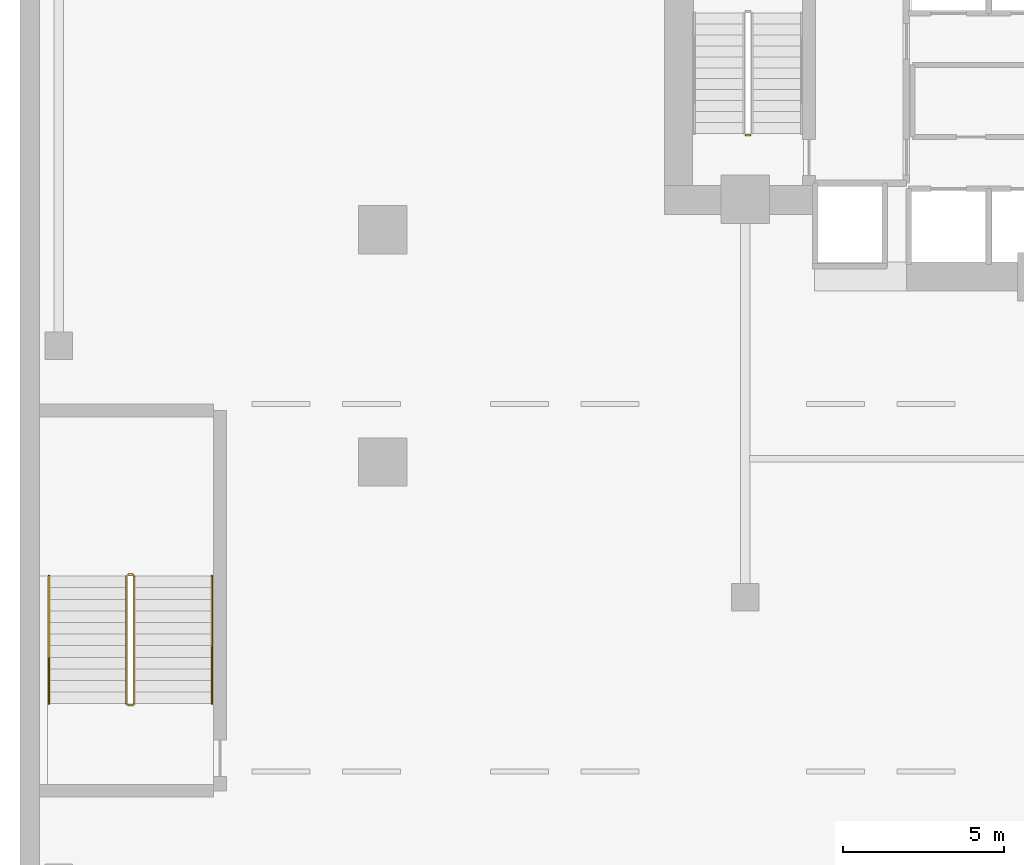
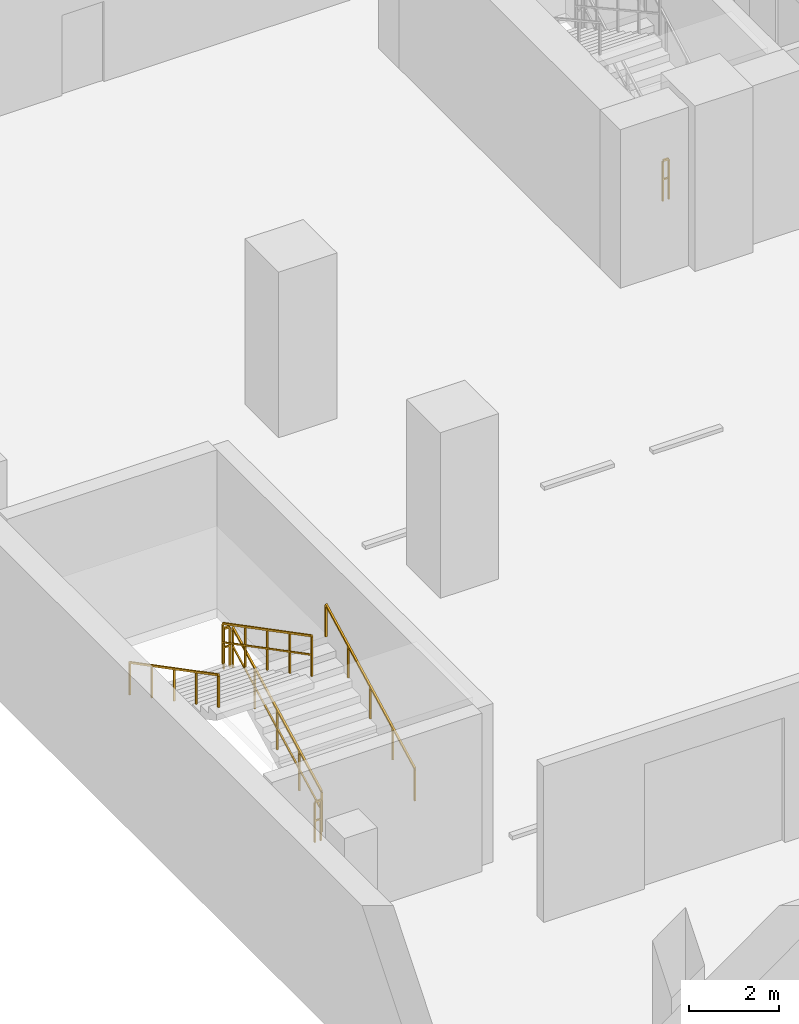
# One storey, part 9 of 13: 7 railings.
"""IFC4 building model written with IfcOpenShell, lengths in metres."""

from ifc_helpers import new_model, si_unit, direction, frame, origin, origin_2d, place, context, subcontext, project, spatial, rectangle, extrude, material, type_object, element, save


model = new_model("IFC4")

# Units and contexts
model_context = context("Model", 3, precision=1e-05, world=origin(), true_north=direction((0.0, 1.0)))
body_context = subcontext(model_context, "Body", "Model", "MODEL_VIEW")
ifc_project = project(units=[si_unit("LENGTHUNIT", "METRE"), si_unit("AREAUNIT", "SQUARE_METRE"), si_unit("VOLUMEUNIT", "CUBIC_METRE"), si_unit("PLANEANGLEUNIT", "RADIAN"), si_unit("MASSUNIT", "GRAM", prefix="KILO")], contexts=[model_context])

# Site, building, storey
site_placement = place(None, origin())
site = spatial("IfcSite", under=ifc_project, at=site_placement, CompositionType="ELEMENT")
building_placement = place(site_placement, origin())
building = spatial("IfcBuilding", under=site, at=building_placement, Name="Zuhayl Quay Hotel", CompositionType="ELEMENT")
storey_placement = place(building_placement, frame((0.0, 0.0, -4.5)))
storey = spatial("IfcBuildingStorey", under=building, at=storey_placement, Name="B1", CompositionType="ELEMENT", Elevation=-4.5)

# Railings
ifc_material = material(Name="Steel ASTM A992 Grade 50", Category="steel")
railing_type_1 = type_object("IfcRailingType", Name="RL_GUARD_1100", PredefinedType="GUARDRAIL", material=ifc_material)
railing_1_placement = place(storey_placement, frame((-13.639892578125, 6.5400390625, 0.0)))
element("IfcRailing", 1, at=railing_1_placement, inside=storey, type_object=railing_type_1, Name="B1 ST1 stair guard 4", PredefinedType="GUARDRAIL", context=body_context, shape_type="SweptSolid", body=[
    extrude(rectangle(XDim=0.048095703125, YDim=0.048095703125, at=origin_2d()), frame((0.0, 0.0, 1.09619140625), z_axis=(-1.0, 0.0, 0.0), x_axis=(0.0, -1.0, 0.0)), (0.0, 0.0, 1.0), 0.150146484375),
    extrude(rectangle(XDim=0.0361328125, YDim=0.0361328125, at=origin_2d()), frame((0.0, 0.0, 0.58251953125), z_axis=(-1.0, 0.0, 0.0), x_axis=(0.0, -1.0, 0.0)), (0.0, 0.0, 1.0), 0.150146484375),
    extrude(rectangle(XDim=0.0419921875, YDim=0.0419921875, at=origin_2d()), origin(), (0.0, 0.0, 1.0), 1.072021484375),
    extrude(rectangle(XDim=0.0419921875, YDim=0.0419921875, at=origin_2d()), frame((-0.150146484375, 0.0, 0.0)), (0.0, 0.0, 1.0), 1.072021484375),
])
railing_2_placement = place(storey_placement, frame((-32.75, -11.10009765625, 0.1875)))
element("IfcRailing", 2, at=railing_2_placement, inside=storey, type_object=railing_type_1, Name="B1 ST3 stair guard 1", PredefinedType="GUARDRAIL", context=body_context, shape_type="SweptSolid", body=[
    extrude(rectangle(XDim=0.048095703125, YDim=0.048095703125, at=origin_2d()), frame((0.0, 0.0, 1.09619140625), z_axis=(0.0, 0.886923884477, 0.461915601755), x_axis=(-1.0, 0.0, 0.0)), (0.0, 0.0, 1.0), 4.465087890625),
    extrude(rectangle(XDim=0.0361328125, YDim=0.0361328125, at=origin_2d()), frame((0.0, 0.0, 0.58251953125), z_axis=(0.0, 0.886923884477, 0.461915601755), x_axis=(-1.0, 0.0, 0.0)), (0.0, 0.0, 1.0), 4.465087890625),
    extrude(rectangle(XDim=0.0419921875, YDim=0.0419921875, at=origin_2d()), origin(), (0.0, 0.0, 1.0), 1.072021484375),
    extrude(rectangle(XDim=0.0419921875, YDim=0.0419921875, at=origin_2d()), frame((0.0, 0.989990234375, 0.515625)), (0.0, 0.0, 1.0), 1.072021484375),
    extrude(rectangle(XDim=0.0419921875, YDim=0.0419921875, at=origin_2d()), frame((0.0, 1.97998046875, 1.03125)), (0.0, 0.0, 1.0), 1.072021484375),
    extrude(rectangle(XDim=0.0419921875, YDim=0.0419921875, at=origin_2d()), frame((0.0, 2.97021484375, 1.546875)), (0.0, 0.0, 1.0), 1.072021484375),
    extrude(rectangle(XDim=0.0419921875, YDim=0.0419921875, at=origin_2d()), frame((0.0, 3.960205078125, 2.0625)), (0.0, 0.0, 1.0), 1.072021484375),
])
railing_3_placement = place(storey_placement, frame((-32.800048828125, -7.090087890625, 2.25)))
element("IfcRailing", 3, at=railing_3_placement, inside=storey, type_object=railing_type_1, Name="B1 ST3 stair guard 2", PredefinedType="GUARDRAIL", context=body_context, shape_type="SweptSolid", body=[
    extrude(rectangle(XDim=0.048095703125, YDim=0.048095703125, at=origin_2d()), frame((0.0, 0.0, 1.09619140625), z_axis=(-1.0, 0.0, 0.0), x_axis=(0.0, -1.0, 0.0)), (0.0, 0.0, 1.0), 0.14990234375),
    extrude(rectangle(XDim=0.0361328125, YDim=0.0361328125, at=origin_2d()), frame((0.0, 0.0, 0.58251953125), z_axis=(-1.0, 0.0, 0.0), x_axis=(0.0, -1.0, 0.0)), (0.0, 0.0, 1.0), 0.14990234375),
    extrude(rectangle(XDim=0.0419921875, YDim=0.0419921875, at=origin_2d()), origin(), (0.0, 0.0, 1.0), 1.072021484375),
    extrude(rectangle(XDim=0.0419921875, YDim=0.0419921875, at=origin_2d()), frame((-0.14990234375, 0.0, 0.0)), (0.0, 0.0, 1.0), 1.072021484375),
])
railing_4_placement = place(storey_placement, frame((-33.0, -7.139892578125, 2.4375)))
element("IfcRailing", 4, at=railing_4_placement, inside=storey, type_object=railing_type_1, Name="B1 ST3 stair guard 3", PredefinedType="GUARDRAIL", context=body_context, shape_type="SweptSolid", body=[
    extrude(rectangle(XDim=0.048095703125, YDim=0.048095703125, at=origin_2d()), frame((0.0, 0.0, 1.09619140625), z_axis=(0.0, -0.886923884477, 0.461915601755), x_axis=(1.0, 0.0, 0.0)), (0.0, 0.0, 1.0), 4.465087890625),
    extrude(rectangle(XDim=0.0361328125, YDim=0.0361328125, at=origin_2d()), frame((0.0, 0.0, 0.58251953125), z_axis=(0.0, -0.886923884477, 0.461915601755), x_axis=(1.0, 0.0, 0.0)), (0.0, 0.0, 1.0), 4.465087890625),
    extrude(rectangle(XDim=0.0419921875, YDim=0.0419921875, at=origin_2d()), origin(), (0.0, 0.0, 1.0), 1.072021484375),
    extrude(rectangle(XDim=0.0419921875, YDim=0.0419921875, at=origin_2d()), frame((0.0, -0.989990234375, 0.515625)), (0.0, 0.0, 1.0), 1.072021484375),
    extrude(rectangle(XDim=0.0419921875, YDim=0.0419921875, at=origin_2d()), frame((0.0, -1.97998046875, 1.03125)), (0.0, 0.0, 1.0), 1.072021484375),
    extrude(rectangle(XDim=0.0419921875, YDim=0.0419921875, at=origin_2d()), frame((0.0, -2.97021484375, 1.546875)), (0.0, 0.0, 1.0), 1.072021484375),
    extrude(rectangle(XDim=0.0419921875, YDim=0.0419921875, at=origin_2d()), frame((0.0, -3.960205078125, 2.0625)), (0.0, 0.0, 1.0), 1.072021484375),
])
railing_5_placement = place(storey_placement, frame((-32.800048828125, -11.14990234375, 0.0)))
element("IfcRailing", 5, at=railing_5_placement, inside=storey, type_object=railing_type_1, Name="B1 ST3 stair guard 4", PredefinedType="GUARDRAIL", context=body_context, shape_type="SweptSolid", body=[
    extrude(rectangle(XDim=0.048095703125, YDim=0.048095703125, at=origin_2d()), frame((0.0, 0.0, 1.09619140625), z_axis=(-1.0, 0.0, 0.0), x_axis=(0.0, -1.0, 0.0)), (0.0, 0.0, 1.0), 0.14990234375),
    extrude(rectangle(XDim=0.0361328125, YDim=0.0361328125, at=origin_2d()), frame((0.0, 0.0, 0.58251953125), z_axis=(-1.0, 0.0, 0.0), x_axis=(0.0, -1.0, 0.0)), (0.0, 0.0, 1.0), 0.14990234375),
    extrude(rectangle(XDim=0.0419921875, YDim=0.0419921875, at=origin_2d()), origin(), (0.0, 0.0, 1.0), 1.072021484375),
    extrude(rectangle(XDim=0.0419921875, YDim=0.0419921875, at=origin_2d()), frame((-0.14990234375, 0.0, 0.0)), (0.0, 0.0, 1.0), 1.072021484375),
])
railing_type_2 = type_object("IfcRailingType", Name="RL_HANDRAIL_920", PredefinedType="HANDRAIL", material=ifc_material)
railing_6_placement = place(storey_placement, frame((-30.35009765625, -11.10009765625, 0.1875)))
element("IfcRailing", 6, at=railing_6_placement, inside=storey, type_object=railing_type_2, Name="B1 ST3 stair handrail 1", PredefinedType="HANDRAIL", context=body_context, shape_type="SweptSolid", body=[
    extrude(rectangle(XDim=0.048095703125, YDim=0.048095703125, at=origin_2d()), frame((0.0, 0.0, 0.8759765625), z_axis=(0.0, 0.886923884477, 0.461915601755), x_axis=(-1.0, 0.0, 0.0)), (0.0, 0.0, 1.0), 4.465087890625),
    extrude(rectangle(XDim=0.0419921875, YDim=0.0419921875, at=origin_2d()), origin(), (0.0, 0.0, 1.0), 0.851806640625),
    extrude(rectangle(XDim=0.0419921875, YDim=0.0419921875, at=origin_2d()), frame((0.0, 0.989990234375, 0.515625)), (0.0, 0.0, 1.0), 0.851806640625),
    extrude(rectangle(XDim=0.0419921875, YDim=0.0419921875, at=origin_2d()), frame((0.0, 1.97998046875, 1.03125)), (0.0, 0.0, 1.0), 0.851806640625),
    extrude(rectangle(XDim=0.0419921875, YDim=0.0419921875, at=origin_2d()), frame((0.0, 2.97021484375, 1.546875)), (0.0, 0.0, 1.0), 0.851806640625),
    extrude(rectangle(XDim=0.0419921875, YDim=0.0419921875, at=origin_2d()), frame((0.0, 3.960205078125, 2.0625)), (0.0, 0.0, 1.0), 0.851806640625),
])
railing_7_placement = place(storey_placement, frame((-35.39990234375, -7.139892578125, 2.4375)))
element("IfcRailing", 7, at=railing_7_placement, inside=storey, type_object=railing_type_2, Name="B1 ST3 stair handrail 2", PredefinedType="HANDRAIL", context=body_context, shape_type="SweptSolid", body=[
    extrude(rectangle(XDim=0.048095703125, YDim=0.048095703125, at=origin_2d()), frame((0.0, 0.0, 0.8759765625), z_axis=(0.0, -0.886923884477, 0.461915601755), x_axis=(1.0, 0.0, 0.0)), (0.0, 0.0, 1.0), 4.465087890625),
    extrude(rectangle(XDim=0.0419921875, YDim=0.0419921875, at=origin_2d()), origin(), (0.0, 0.0, 1.0), 0.851806640625),
    extrude(rectangle(XDim=0.0419921875, YDim=0.0419921875, at=origin_2d()), frame((0.0, -0.989990234375, 0.515625)), (0.0, 0.0, 1.0), 0.851806640625),
    extrude(rectangle(XDim=0.0419921875, YDim=0.0419921875, at=origin_2d()), frame((0.0, -1.97998046875, 1.03125)), (0.0, 0.0, 1.0), 0.851806640625),
    extrude(rectangle(XDim=0.0419921875, YDim=0.0419921875, at=origin_2d()), frame((0.0, -2.97021484375, 1.546875)), (0.0, 0.0, 1.0), 0.851806640625),
    extrude(rectangle(XDim=0.0419921875, YDim=0.0419921875, at=origin_2d()), frame((0.0, -3.960205078125, 2.0625)), (0.0, 0.0, 1.0), 0.851806640625),
])

save(model, "model.ifc")
